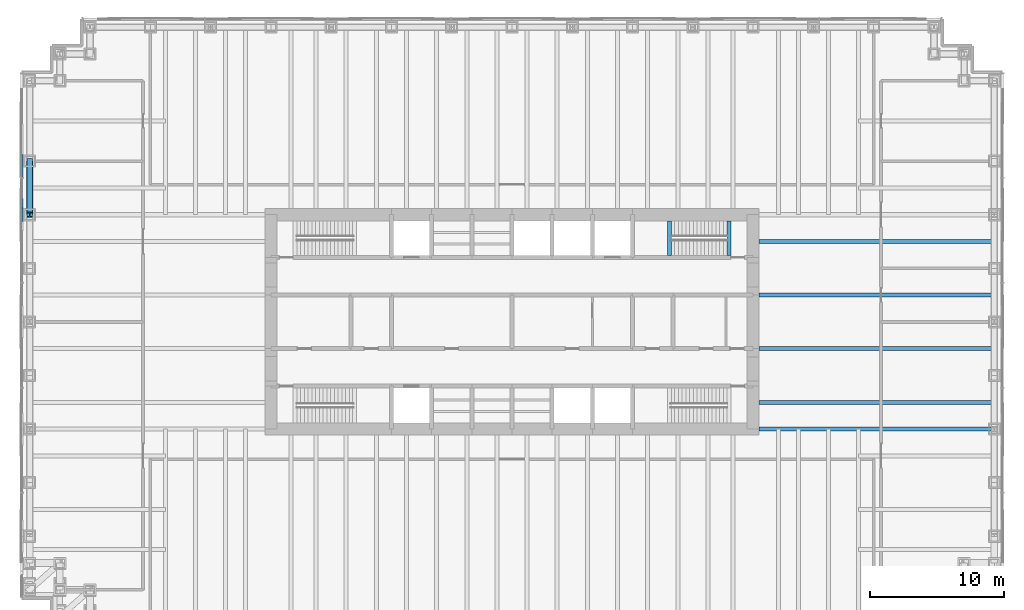
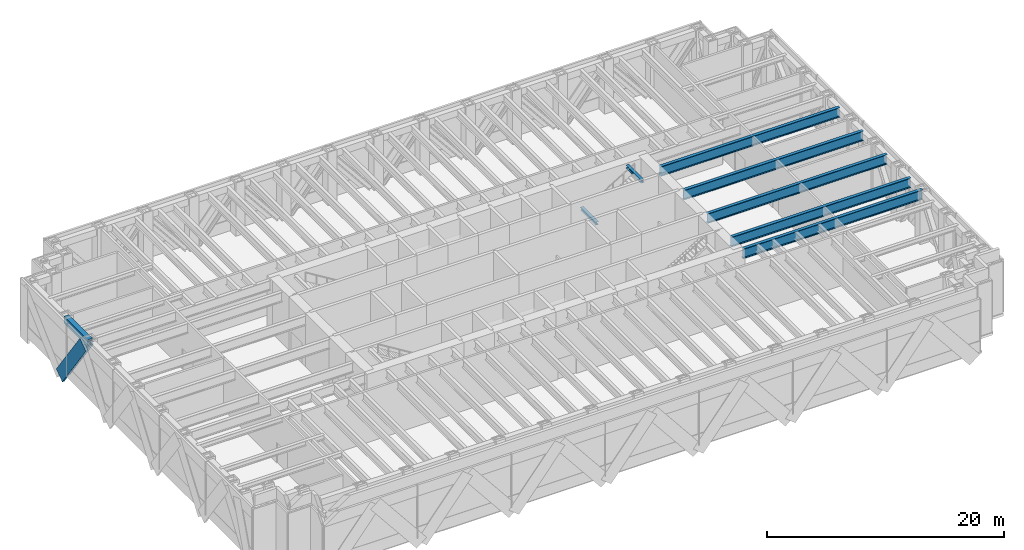
# One storey, part 5 of 16: 8 beams, 2 members, 1 element without a shape of its own.
"""IFC4 building model written with IfcOpenShell, lengths in metres."""

from ifc_helpers import new_model, si_unit, direction, frame, origin, origin_2d, place, context, subcontext, project, spatial, rectangle, hollow_rectangle, i_section, extrude, material, material_profile, profile_set, type_object, element, aggregate, save


model = new_model("IFC4")

# Units and contexts
model_context = context("Model", 3, precision=1e-05, world=origin(), true_north=direction((0.0, 1.0)))
body_context = subcontext(model_context, "Body", "Model", "MODEL_VIEW")
ifc_project = project(units=[si_unit("LENGTHUNIT", "METRE"), si_unit("AREAUNIT", "SQUARE_METRE"), si_unit("VOLUMEUNIT", "CUBIC_METRE"), si_unit("PLANEANGLEUNIT", "RADIAN"), si_unit("MASSUNIT", "GRAM", prefix="KILO")], contexts=[model_context])

# Site, building, storey
site_placement = place(None, origin())
site = spatial("IfcSite", under=ifc_project, at=site_placement, CompositionType="ELEMENT")
building_placement = place(site_placement, origin())
building = spatial("IfcBuilding", under=site, at=building_placement, Name="Rheinbord Bourse Tower", CompositionType="ELEMENT")
storey_placement = place(building_placement, frame((0.0, 0.0, 95.0)))
storey = spatial("IfcBuildingStorey", under=building, at=storey_placement, Name="L20", CompositionType="ELEMENT", Elevation=95.0)

# Beam
ifc_material_1 = material(Name="Steel S460M", Category="steel")
ifc_material_profile_1 = material_profile(ifc_material_1, hollow_rectangle(XDim=0.5, YDim=0.699951171875, WallThickness=0.0400390625, at=origin_2d()), Name="BOX 700x500x40")
ifc_profile_set_1 = profile_set([ifc_material_profile_1], Name="Steel S460M")
beam_type_1 = type_object("IfcBeamType", Name="BELT CHORD BOX 700x500x40", PredefinedType="SPANDREL", material=ifc_profile_set_1)
beam_1_placement = place(storey_placement, frame((0.0, 36.0, 4.989990234375), z_axis=(0.0, -1.0, 0.0), x_axis=(1.0, 0.0, 0.0)))
element("IfcBeam", 1, at=beam_1_placement, inside=storey, type_object=beam_type_1, Name="Spandrel W-36-W-32 under L21", PredefinedType="SPANDREL", context=body_context, shape_type="SweptSolid", body=[
    extrude(hollow_rectangle(XDim=0.5, YDim=0.699951171875, WallThickness=0.0400390625, at=origin_2d()), origin(), (0.0, 0.0, 1.0), 4.0),
])

# Member
ifc_material_2 = material(Name="Steel S460", Category="steel")
ifc_material_profile_2 = material_profile(ifc_material_2, i_section(OverallWidth=0.431884765625, OverallDepth=0.498046875, WebThickness=0.0556640625, FlangeThickness=0.0888671875, at=origin_2d()), Name="HD 400x744")
ifc_profile_set_2 = profile_set([ifc_material_profile_2], Name="Steel S460")
member_type_1 = type_object("IfcMemberType", Name="BELT DIAGONAL HD 400x744", PredefinedType="STRUT", material=ifc_profile_set_2)
member_1_placement = place(storey_placement, frame((0.0, 36.0, -0.60009765625), z_axis=(0.0, -0.581920023079, 0.813246018582), x_axis=(1.0, 0.0, 0.0)))
element("IfcMember", 2, at=member_1_placement, inside=storey, type_object=member_type_1, Name="Belt truss diagonal W-36-W-32 L20", PredefinedType="STRUT", context=body_context, shape_type="SweptSolid", body=[
    extrude(i_section(OverallWidth=0.431884765625, OverallDepth=0.498046875, WebThickness=0.0556640625, FlangeThickness=0.0888671875, at=origin_2d()), origin(), (0.0, 0.0, 1.0), 6.873779296875),
])

# Curtain wall, member
ifc_material_3 = material(Name="Dark glass and black aluminium", Category="aluminium")
curtain_wall_type = type_object("IfcCurtainWallType", Name="CW5 DARK GLASS CURTAIN WALL", PredefinedType="USERDEFINED", material=ifc_material_3)
curtain_wall_placement = place(storey_placement, origin())
curtain_wall = element("IfcCurtainWall", 3, at=curtain_wall_placement, inside=storey, type_object=curtain_wall_type, Name="Curtain wall CW5 W L20", ObjectType="UNITISED CURTAIN WALL", PredefinedType="USERDEFINED")
ifc_material_4 = material(Name="Black anodised aluminium", Category="aluminium")
ifc_material_profile_3 = material_profile(ifc_material_4, rectangle(XDim=0.199951171875, YDim=1.259033203125, at=origin_2d()), Name="CW5 DIAGONAL MULLION 1259x200")
ifc_profile_set_3 = profile_set([ifc_material_profile_3], Name="Black anodised aluminium")
member_type_2 = type_object("IfcMemberType", Name="CW5 BLACK DIAGONAL MULLION", PredefinedType="USERDEFINED", material=ifc_profile_set_3)
member_2_placement = place(storey_placement, frame((-0.60009765625, 36.0, -0.60009765625), z_axis=(0.0, -0.581920023079, 0.813246018582), x_axis=(1.0, 0.0, 0.0)))
member_2 = element("IfcMember", 4, at=member_2_placement, type_object=member_type_2, Name="CW5 diagonal mullion belt W-36", ObjectType="DIAGONAL MULLION", PredefinedType="USERDEFINED", context=body_context, shape_type="SweptSolid", body=[
    extrude(rectangle(XDim=0.199951171875, YDim=1.259033203125, at=origin_2d()), origin(), (0.0, 0.0, 1.0), 6.873779296875),
])
aggregate(curtain_wall, [member_2])

# Beams
ifc_material_5 = material(Name="Steel S460", Category="steel")
ifc_material_profile_4 = material_profile(ifc_material_5, i_section(OverallWidth=0.302001953125, OverallDepth=1.008056640625, WebThickness=0.02099609375, FlangeThickness=0.0400390625, at=origin_2d()), Name="HEM 1000")
ifc_profile_set_4 = profile_set([ifc_material_profile_4], Name="Steel S460")
beam_type_2 = type_object("IfcBeamType", Name="END BEAM HEM 1000", PredefinedType="BEAM", material=ifc_profile_set_4)
for number, where, z_axis, x_axis, name in (
    (5, (54.449951171875, 18.0, 4.8359375), (1.0, 0.0, 0.0), (0.0, 1.0, 0.0), "End beam east 18 L21"),
    (6, (54.449951171875, 22.0, 4.8359375), (1.0, 0.0, 0.0), (0.0, 1.0, 0.0), "End beam east 22 L21"),
    (7, (54.449951171875, 26.0, 4.8359375), (1.0, 0.0, 0.0), (0.0, 1.0, 0.0), "End beam east 26 L21"),
    (8, (54.449951171875, 30.0, 4.8359375), (1.0, 0.0, 0.0), (0.0, 1.0, 0.0), "End beam east 30 L21"),
):
    element("IfcBeam", number, at=place(storey_placement, frame(where, z_axis=z_axis, x_axis=x_axis)), inside=storey, type_object=beam_type_2, Name=name, PredefinedType="BEAM", context=body_context, shape_type="SweptSolid", body=[
        extrude(i_section(OverallWidth=0.302001953125, OverallDepth=1.008056640625, WebThickness=0.02099609375, FlangeThickness=0.0400390625, at=origin_2d()), origin(), (0.0, 0.0, 1.0), 17.550048828125),
    ])
ifc_material_6 = material(Name="Steel S460", Category="steel")
ifc_material_profile_5 = material_profile(ifc_material_6, i_section(OverallWidth=0.302001953125, OverallDepth=1.008056640625, WebThickness=0.02099609375, FlangeThickness=0.0400390625, at=origin_2d()), Name="HEM 1000")
ifc_profile_set_5 = profile_set([ifc_material_profile_5], Name="Steel S460")
beam_type_3 = type_object("IfcBeamType", Name="GIRDER HEM 1000", PredefinedType="BEAM", material=ifc_profile_set_5)
beam_2_placement = place(storey_placement, frame((54.449951171875, 16.0, 4.8359375), z_axis=(1.0, 0.0, 0.0), x_axis=(0.0, 1.0, 0.0)))
element("IfcBeam", 9, at=beam_2_placement, inside=storey, type_object=beam_type_3, Name="Girder east 16 L21", PredefinedType="BEAM", context=body_context, shape_type="SweptSolid", body=[
    extrude(i_section(OverallWidth=0.302001953125, OverallDepth=1.008056640625, WebThickness=0.02099609375, FlangeThickness=0.0400390625, at=origin_2d()), origin(), (0.0, 0.0, 1.0), 17.550048828125),
])
ifc_material_7 = material(Name="Steel S460", Category="steel")
ifc_material_profile_6 = material_profile(ifc_material_7, i_section(OverallWidth=0.300048828125, OverallDepth=0.300048828125, WebThickness=0.010986328125, FlangeThickness=0.01904296875, at=origin_2d()), Name="HEB 300")
ifc_profile_set_6 = profile_set([ifc_material_profile_6], Name="Steel S460")
beam_type_4 = type_object("IfcBeamType", Name="LANDING TRIMMER HEB 300", PredefinedType="BEAM", material=ifc_profile_set_6)
for number, where, z_axis, x_axis, name in (
    (10, (47.75, 28.949951171875, 2.39990234375), (0.0, 1.0, 0.0), (-1.0, 0.0, 0.0), "Landing trimmer ST4 L20"),
    (11, (52.199951171875, 28.949951171875, 5.18994140625), (0.0, 1.0, 0.0), (-1.0, 0.0, 0.0), "Well trimmer ST4 under L21"),
):
    element("IfcBeam", number, at=place(storey_placement, frame(where, z_axis=z_axis, x_axis=x_axis)), inside=storey, type_object=beam_type_4, Name=name, PredefinedType="BEAM", context=body_context, shape_type="SweptSolid", body=[
        extrude(i_section(OverallWidth=0.300048828125, OverallDepth=0.300048828125, WebThickness=0.010986328125, FlangeThickness=0.01904296875, at=origin_2d()), origin(), (0.0, 0.0, 1.0), 2.60009765625),
    ])

save(model, "model.ifc")
